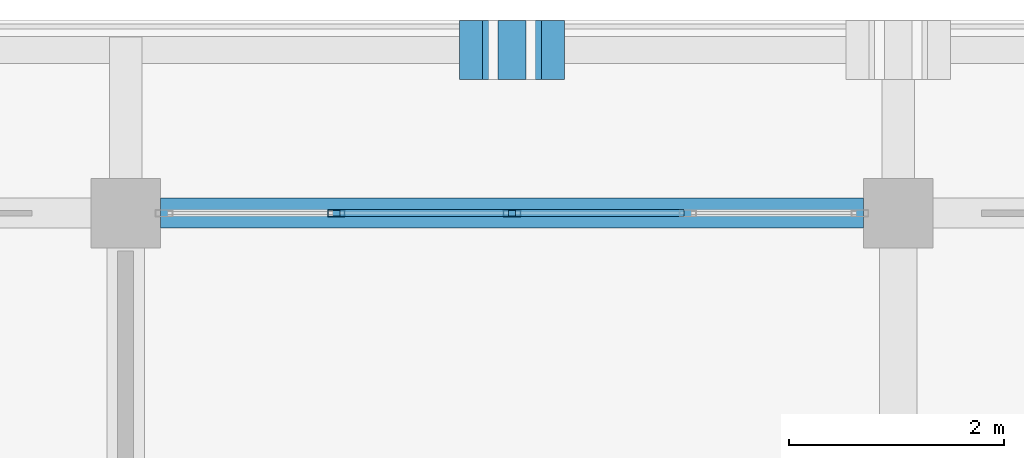
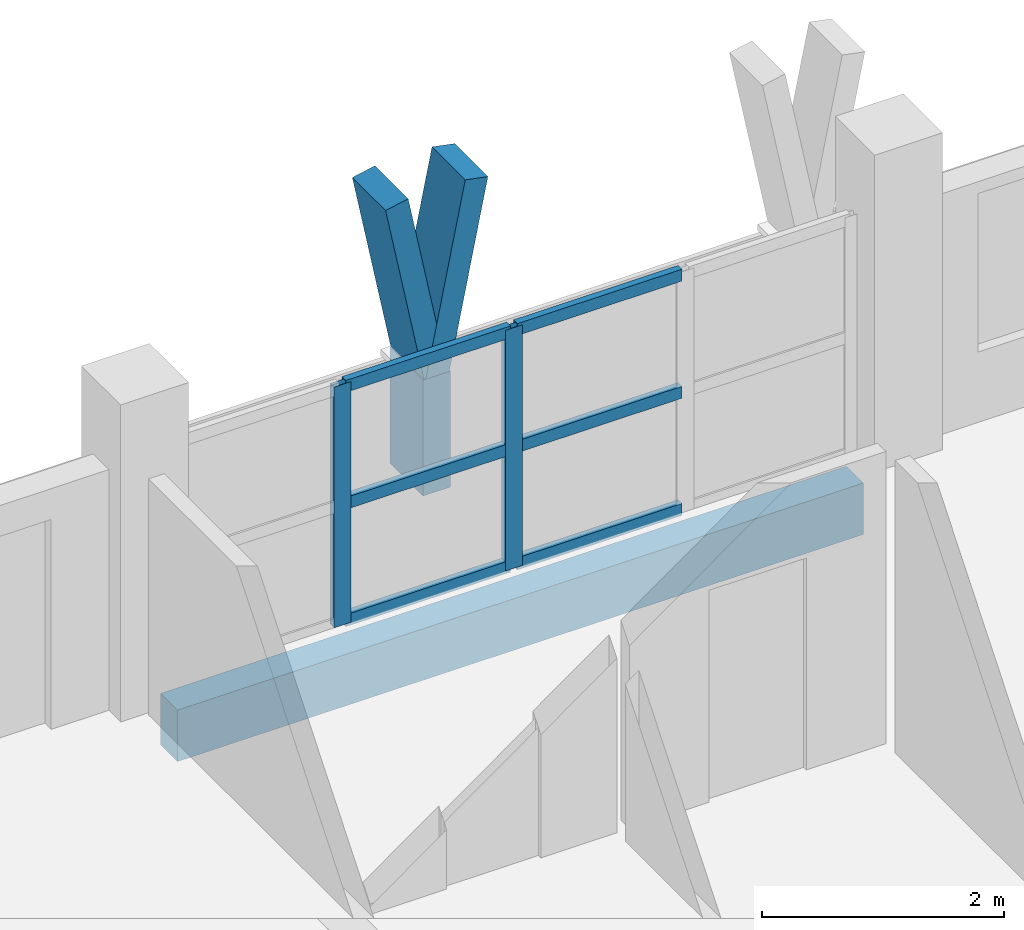
# One storey, part 18 of 78: 11 members, 1 beam, 1 element without a shape of its own.
"""IFC4 building model written with IfcOpenShell, lengths in metres."""

from ifc_helpers import new_model, si_unit, direction, frame, origin, origin_2d, place, context, subcontext, project, spatial, rectangle, hollow_rectangle, extrude, material, material_profile, profile_set, type_object, element, aggregate, save


model = new_model("IFC4")

# Units and contexts
model_context = context("Model", 3, precision=1e-05, world=origin(), true_north=direction((0.0, 1.0)))
body_context = subcontext(model_context, "Body", "Model", "MODEL_VIEW")
ifc_project = project(units=[si_unit("LENGTHUNIT", "METRE"), si_unit("AREAUNIT", "SQUARE_METRE"), si_unit("VOLUMEUNIT", "CUBIC_METRE"), si_unit("PLANEANGLEUNIT", "RADIAN"), si_unit("MASSUNIT", "GRAM", prefix="KILO")], contexts=[model_context])

# Site, building, storey
site_placement = place(None, origin())
site = spatial("IfcSite", under=ifc_project, at=site_placement, CompositionType="ELEMENT")
building_placement = place(site_placement, origin())
building = spatial("IfcBuilding", under=site, at=building_placement, Name="Suanplinth Sawtooth Commons", CompositionType="ELEMENT")
storey_placement = place(building_placement, frame((0.0, 0.0, 15.39990234375)))
storey = spatial("IfcBuildingStorey", under=building, at=storey_placement, Name="L04", CompositionType="ELEMENT", Elevation=15.39990234375)

# Beam
ifc_material_1 = material(Name="Precast concrete C40/50", Category="concrete")
ifc_material_profile_1 = material_profile(ifc_material_1, rectangle(XDim=0.280029296875, YDim=0.52001953125, at=origin_2d()), Name="PC-SP 280x520")
ifc_profile_set_1 = profile_set([ifc_material_profile_1], Name="Precast concrete C40/50")
beam_type = type_object("IfcBeamType", Name="B-08", PredefinedType="SPANDREL", material=ifc_profile_set_1)
beam_placement = place(storey_placement, frame((57.925048828125, 122.39990234375, -0.47998046875), z_axis=(1.0, 0.0, 0.0), x_axis=(0.0, 1.0, 0.0)))
element("IfcBeam", 1, at=beam_placement, inside=storey, type_object=beam_type, Name="BMX-L04-A-8-17", PredefinedType="SPANDREL", context=body_context, shape_type="SweptSolid", body=[
    extrude(rectangle(XDim=0.280029296875, YDim=0.52001953125, at=origin_2d()), origin(), (0.0, 0.0, 1.0), 6.550048828125),
])

# Members
ifc_material_2 = material(Name="Pigmented precast concrete C40/50", Category="concrete")
ifc_material_profile_2 = material_profile(ifc_material_2, rectangle(XDim=0.260009765625, YDim=0.550048828125, at=origin_2d()), Name="PC-FIN 260x550")
ifc_profile_set_2 = profile_set([ifc_material_profile_2], Name="Pigmented precast concrete C40/50")
member_type_1 = type_object("IfcMemberType", Name="M-09", PredefinedType="USERDEFINED", material=ifc_profile_set_2)
member_1_placement = place(storey_placement, frame((61.199951171875, 123.919921875, 0.0), z_axis=(0.0, 0.0, 1.0), x_axis=(1.0, 0.0, 0.0)))
element("IfcMember", 2, at=member_1_placement, inside=storey, type_object=member_type_1, Name="Y-Blade Stem L04-A-N-05", ObjectType="SHADING FIN", PredefinedType="USERDEFINED", context=body_context, shape_type="SweptSolid", body=[
    extrude(rectangle(XDim=0.260009765625, YDim=0.550048828125, at=origin_2d()), origin(), (0.0, 0.0, 1.0), 1.170166015625),
])
ifc_material_profile_3 = material_profile(ifc_material_2, rectangle(XDim=0.219970703125, YDim=0.550048828125, at=origin_2d()), Name="PC-FIN 220x550")
ifc_profile_set_3 = profile_set([ifc_material_profile_3], Name="Pigmented precast concrete C40/50")
member_type_2 = type_object("IfcMemberType", Name="M-10", PredefinedType="USERDEFINED", material=ifc_profile_set_3)
member_2_placement = place(storey_placement, frame((61.199951171875, 123.919921875, 1.130126953125), z_axis=(-0.196309979414, 0.0, 0.980541886909), x_axis=(0.980541886909, 0.0, 0.196309979414)))
element("IfcMember", 3, at=member_2_placement, inside=storey, type_object=member_type_2, Name="Y-Blade Arm L L04-A-N-05", ObjectType="SHADING FIN", PredefinedType="USERDEFINED", context=body_context, shape_type="SweptSolid", body=[
    extrude(rectangle(XDim=0.219970703125, YDim=0.550048828125, at=origin_2d()), origin(), (0.0, 0.0, 1.0), 1.9375),
])
member_3_placement = place(storey_placement, frame((61.199951171875, 123.919921875, 1.130126953125), z_axis=(0.196431120402, 0.0, 0.980517626021), x_axis=(-0.980517626021, 0.0, 0.196431120402)))
element("IfcMember", 4, at=member_3_placement, inside=storey, type_object=member_type_2, Name="Y-Blade Arm R L04-A-N-05", ObjectType="SHADING FIN", PredefinedType="USERDEFINED", context=body_context, shape_type="SweptSolid", body=[
    extrude(rectangle(XDim=0.219970703125, YDim=0.550048828125, at=origin_2d()), origin(), (0.0, 0.0, 1.0), 1.937744140625),
])

# Curtain wall, members
ifc_material_3 = material(Name="Anodized aluminium and low-E glazing", Category="aluminium")
curtain_wall_type = type_object("IfcCurtainWallType", Name="CW-06", PredefinedType="USERDEFINED", material=ifc_material_3)
curtain_wall_placement = place(storey_placement, origin())
curtain_wall = element("IfcCurtainWall", 5, at=curtain_wall_placement, inside=storey, type_object=curtain_wall_type, Name="Curtain Wall CW-L04-A-LOUNGE-8", ObjectType="CURTAIN WALL", PredefinedType="USERDEFINED")
ifc_material_4 = material(Name="Anodized aluminium 6063-T6", Category="aluminium")
ifc_material_profile_4 = material_profile(ifc_material_4, hollow_rectangle(XDim=0.06494140625, YDim=0.159912109375, WallThickness=0.00390625, at=origin_2d()), Name="ALU-MUL 65x160")
ifc_profile_set_4 = profile_set([ifc_material_profile_4], Name="Anodized aluminium 6063-T6")
member_type_3 = type_object("IfcMemberType", Name="M-13", PredefinedType="MULLION", material=ifc_profile_set_4)
member_4_placement = place(storey_placement, frame((59.5625, 122.39990234375, 0.0), z_axis=(0.0, 0.0, 1.0), x_axis=(0.0, 1.0, 0.0)))
member_4 = element("IfcMember", 6, at=member_4_placement, type_object=member_type_3, Name="CW-06 mullion 2", PredefinedType="MULLION", context=body_context, shape_type="SweptSolid", body=[
    extrude(hollow_rectangle(XDim=0.06494140625, YDim=0.159912109375, WallThickness=0.00390625, at=origin_2d()), origin(), (0.0, 0.0, 1.0), 2.43017578125),
])
member_5_placement = place(storey_placement, frame((61.199951171875, 122.39990234375, 0.0), z_axis=(0.0, 0.0, 1.0), x_axis=(0.0, 1.0, 0.0)))
member_5 = element("IfcMember", 7, at=member_5_placement, type_object=member_type_3, Name="CW-06 mullion 3", PredefinedType="MULLION", context=body_context, shape_type="SweptSolid", body=[
    extrude(hollow_rectangle(XDim=0.06494140625, YDim=0.159912109375, WallThickness=0.00390625, at=origin_2d()), origin(), (0.0, 0.0, 1.0), 2.43017578125),
])
ifc_material_profile_5 = material_profile(ifc_material_4, hollow_rectangle(XDim=0.06494140625, YDim=0.1201171875, WallThickness=0.00390625, at=origin_2d()), Name="ALU-TRN 65x120")
ifc_profile_set_5 = profile_set([ifc_material_profile_5], Name="Anodized aluminium 6063-T6")
member_type_4 = type_object("IfcMemberType", Name="M-15", PredefinedType="USERDEFINED", material=ifc_profile_set_5)
member_6_placement = place(storey_placement, frame((59.594970703125, 122.39990234375, 0.03271484375), z_axis=(1.0, 0.0, 0.0), x_axis=(0.0, 1.0, 0.0)))
member_6 = element("IfcMember", 8, at=member_6_placement, type_object=member_type_4, Name="CW-06 transom 2.1", ObjectType="TRANSOM", PredefinedType="USERDEFINED", context=body_context, shape_type="SweptSolid", body=[
    extrude(hollow_rectangle(XDim=0.06494140625, YDim=0.1201171875, WallThickness=0.00390625, at=origin_2d()), origin(), (0.0, 0.0, 1.0), 1.572509765625),
])
member_7_placement = place(storey_placement, frame((59.594970703125, 122.39990234375, 1.215087890625), z_axis=(1.0, 0.0, 0.0), x_axis=(0.0, 1.0, 0.0)))
member_7 = element("IfcMember", 9, at=member_7_placement, type_object=member_type_4, Name="CW-06 transom 2.2", ObjectType="TRANSOM", PredefinedType="USERDEFINED", context=body_context, shape_type="SweptSolid", body=[
    extrude(hollow_rectangle(XDim=0.06494140625, YDim=0.1201171875, WallThickness=0.00390625, at=origin_2d()), origin(), (0.0, 0.0, 1.0), 1.572509765625),
])
member_8_placement = place(storey_placement, frame((59.594970703125, 122.39990234375, 2.397705078125), z_axis=(1.0, 0.0, 0.0), x_axis=(0.0, 1.0, 0.0)))
member_8 = element("IfcMember", 10, at=member_8_placement, type_object=member_type_4, Name="CW-06 transom 2.3", ObjectType="TRANSOM", PredefinedType="USERDEFINED", context=body_context, shape_type="SweptSolid", body=[
    extrude(hollow_rectangle(XDim=0.06494140625, YDim=0.1201171875, WallThickness=0.00390625, at=origin_2d()), origin(), (0.0, 0.0, 1.0), 1.572509765625),
])
member_9_placement = place(storey_placement, frame((61.232421875, 122.39990234375, 0.03271484375), z_axis=(1.0, 0.0, 0.0), x_axis=(0.0, 1.0, 0.0)))
member_9 = element("IfcMember", 11, at=member_9_placement, type_object=member_type_4, Name="CW-06 transom 3.1", ObjectType="TRANSOM", PredefinedType="USERDEFINED", context=body_context, shape_type="SweptSolid", body=[
    extrude(hollow_rectangle(XDim=0.06494140625, YDim=0.1201171875, WallThickness=0.00390625, at=origin_2d()), origin(), (0.0, 0.0, 1.0), 1.572509765625),
])
member_10_placement = place(storey_placement, frame((61.232421875, 122.39990234375, 1.215087890625), z_axis=(1.0, 0.0, 0.0), x_axis=(0.0, 1.0, 0.0)))
member_10 = element("IfcMember", 12, at=member_10_placement, type_object=member_type_4, Name="CW-06 transom 3.2", ObjectType="TRANSOM", PredefinedType="USERDEFINED", context=body_context, shape_type="SweptSolid", body=[
    extrude(hollow_rectangle(XDim=0.06494140625, YDim=0.1201171875, WallThickness=0.00390625, at=origin_2d()), origin(), (0.0, 0.0, 1.0), 1.572509765625),
])
member_11_placement = place(storey_placement, frame((61.232421875, 122.39990234375, 2.397705078125), z_axis=(1.0, 0.0, 0.0), x_axis=(0.0, 1.0, 0.0)))
member_11 = element("IfcMember", 13, at=member_11_placement, type_object=member_type_4, Name="CW-06 transom 3.3", ObjectType="TRANSOM", PredefinedType="USERDEFINED", context=body_context, shape_type="SweptSolid", body=[
    extrude(hollow_rectangle(XDim=0.06494140625, YDim=0.1201171875, WallThickness=0.00390625, at=origin_2d()), origin(), (0.0, 0.0, 1.0), 1.572509765625),
])
aggregate(curtain_wall, [member_4, member_5, member_6, member_7, member_8, member_9, member_10, member_11])

save(model, "model.ifc")
